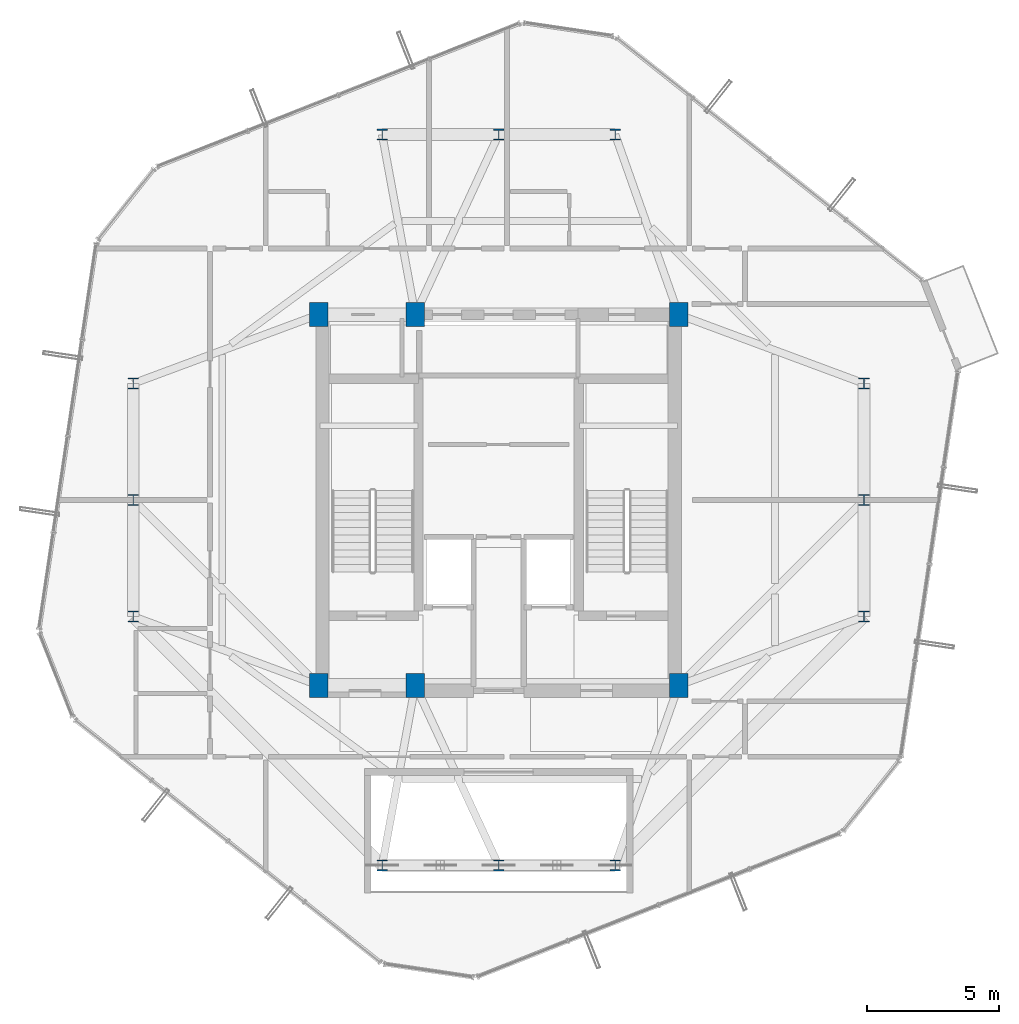
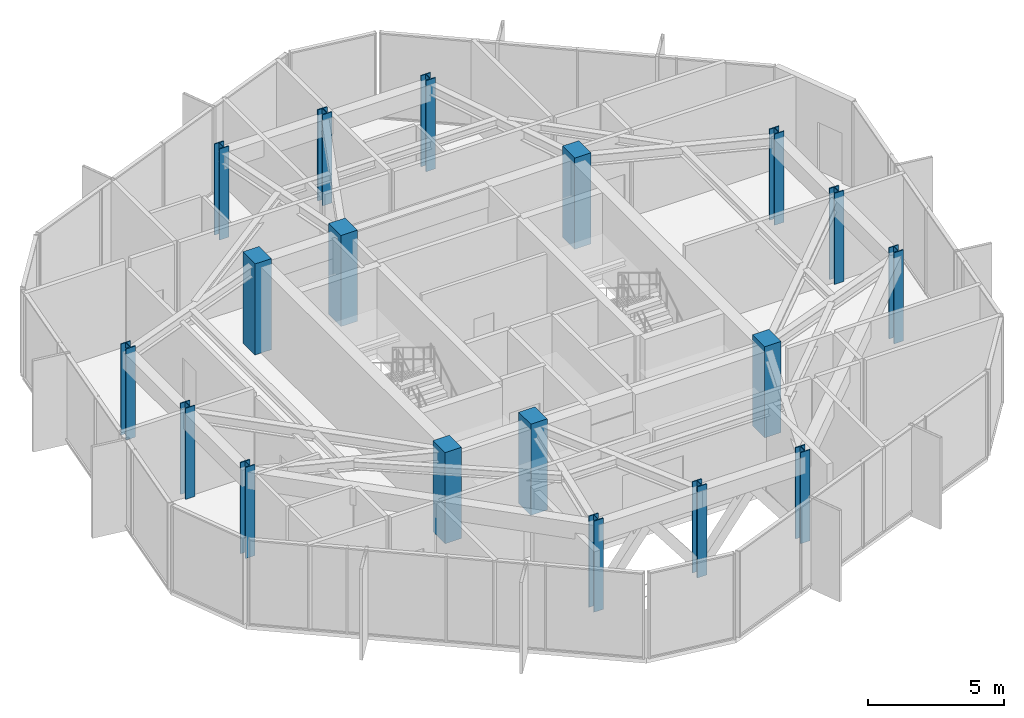
# One storey, part 1 of 22: 18 columns.
"""IFC4 building model written with IfcOpenShell, lengths in metres."""

from ifc_helpers import new_model, si_unit, direction, frame, origin, origin_2d, place, context, subcontext, project, spatial, rectangle, i_section, extrude, material, material_profile, profile_set, type_object, element, save


model = new_model("IFC4")

# Units and contexts
model_context = context("Model", 3, precision=1e-05, world=origin(), true_north=direction((0.0, 1.0)))
body_context = subcontext(model_context, "Body", "Model", "MODEL_VIEW")
ifc_project = project(units=[si_unit("LENGTHUNIT", "METRE"), si_unit("AREAUNIT", "SQUARE_METRE"), si_unit("VOLUMEUNIT", "CUBIC_METRE"), si_unit("PLANEANGLEUNIT", "RADIAN"), si_unit("MASSUNIT", "GRAM", prefix="KILO")], contexts=[model_context])

# Site, building, storey
site_placement = place(None, origin())
site = spatial("IfcSite", under=ifc_project, at=site_placement, CompositionType="ELEMENT")
building_placement = place(site_placement, origin())
building = spatial("IfcBuilding", under=site, at=building_placement, Name="Veraguas Prism Commons", CompositionType="ELEMENT")
storey_placement = place(building_placement, frame((0.0, 0.0, 236.550048828125)))
storey = spatial("IfcBuildingStorey", under=building, at=storey_placement, Name="L67", CompositionType="ELEMENT", Elevation=236.550048828125)

# Columns
ifc_material_1 = material(Name="Steel ASTM A992 Grade 50", Category="steel")
ifc_material_profile_1 = material_profile(ifc_material_1, i_section(OverallWidth=0.404052734375, OverallDepth=0.406982421875, WebThickness=0.025146484375, FlangeThickness=0.040283203125, at=origin_2d()), Name="W360X347")
ifc_profile_set_1 = profile_set([ifc_material_profile_1], Name="Steel ASTM A992 Grade 50")
column_type_1 = type_object("IfcColumnType", Name="Column Crown Portal W360x347", PredefinedType="COLUMN", material=ifc_profile_set_1)
for number, where, z_axis, x_axis, name in (
    (1, (37.800048828125, 19.60009765625, 0.0), (0.0, 0.0, 1.0), (1.0, 0.0, 0.0), "Tower Perimeter Column L67-TB01"),
    (2, (37.800048828125, 24.0, 0.0), (0.0, 0.0, 1.0), (1.0, 0.0, 0.0), "Tower Perimeter Column L67-TB02"),
    (3, (37.800048828125, 28.39990234375, 0.0), (0.0, 0.0, 1.0), (1.0, 0.0, 0.0), "Tower Perimeter Column L67-TB03"),
    (4, (28.39990234375, 37.800048828125, 0.0), (0.0, 0.0, 1.0), (1.0, 0.0, 0.0), "Tower Perimeter Column L67-TB04"),
    (5, (24.0, 37.800048828125, 0.0), (0.0, 0.0, 1.0), (1.0, 0.0, 0.0), "Tower Perimeter Column L67-TB05"),
    (6, (19.60009765625, 37.800048828125, 0.0), (0.0, 0.0, 1.0), (1.0, 0.0, 0.0), "Tower Perimeter Column L67-TB06"),
    (7, (10.199951171875, 28.39990234375, 0.0), (0.0, 0.0, 1.0), (1.0, 0.0, 0.0), "Tower Perimeter Column L67-TB07"),
    (8, (10.199951171875, 24.0, 0.0), (0.0, 0.0, 1.0), (1.0, 0.0, 0.0), "Tower Perimeter Column L67-TB08"),
    (9, (10.199951171875, 19.60009765625, 0.0), (0.0, 0.0, 1.0), (1.0, 0.0, 0.0), "Tower Perimeter Column L67-TB09"),
    (10, (19.60009765625, 10.199951171875, 0.0), (0.0, 0.0, 1.0), (1.0, 0.0, 0.0), "Tower Perimeter Column L67-TB10"),
    (11, (24.0, 10.199951171875, 0.0), (0.0, 0.0, 1.0), (1.0, 0.0, 0.0), "Tower Perimeter Column L67-TB11"),
    (12, (28.39990234375, 10.199951171875, 0.0), (0.0, 0.0, 1.0), (1.0, 0.0, 0.0), "Tower Perimeter Column L67-TB12"),
):
    element("IfcColumn", number, at=place(storey_placement, frame(where, z_axis=z_axis, x_axis=x_axis)), inside=storey, type_object=column_type_1, Name=name, PredefinedType="COLUMN", context=body_context, shape_type="SweptSolid", body=[
        extrude(i_section(OverallWidth=0.404052734375, OverallDepth=0.406982421875, WebThickness=0.025146484375, FlangeThickness=0.040283203125, at=origin_2d()), origin(), (0.0, 0.0, 1.0), 4.099853515625),
    ])
ifc_material_2 = material(Name="Concrete C50/60", Category="concrete")
ifc_material_profile_2 = material_profile(ifc_material_2, rectangle(XDim=0.699951171875, YDim=0.89990234375, at=origin_2d()), Name="RC700X900")
ifc_profile_set_2 = profile_set([ifc_material_profile_2], Name="Concrete C50/60")
column_type_2 = type_object("IfcColumnType", Name="Pilaster Core Upper RC 700x900", PredefinedType="PILASTER", material=ifc_profile_set_2)
for number, where, z_axis, x_axis, name in (
    (13, (17.199951171875, 17.0, 0.0), (0.0, 0.0, 1.0), (1.0, 0.0, 0.0), "Core Pilaster Column L67-CR1"),
    (14, (20.85009765625, 17.0, 0.0), (0.0, 0.0, 1.0), (1.0, 0.0, 0.0), "Core Pilaster Column L67-CR2"),
    (15, (30.800048828125, 17.0, 0.0), (0.0, 0.0, 1.0), (1.0, 0.0, 0.0), "Core Pilaster Column L67-CR3"),
    (16, (17.199951171875, 31.0, 0.0), (0.0, 0.0, 1.0), (1.0, 0.0, 0.0), "Core Pilaster Column L67-CR4"),
    (17, (20.85009765625, 31.0, 0.0), (0.0, 0.0, 1.0), (1.0, 0.0, 0.0), "Core Pilaster Column L67-CR5"),
    (18, (30.800048828125, 31.0, 0.0), (0.0, 0.0, 1.0), (1.0, 0.0, 0.0), "Core Pilaster Column L67-CR6"),
):
    element("IfcColumn", number, at=place(storey_placement, frame(where, z_axis=z_axis, x_axis=x_axis)), inside=storey, type_object=column_type_2, Name=name, PredefinedType="PILASTER", context=body_context, shape_type="SweptSolid", body=[
        extrude(rectangle(XDim=0.699951171875, YDim=0.89990234375, at=origin_2d()), origin(), (0.0, 0.0, 1.0), 4.099853515625),
    ])

save(model, "model.ifc")
